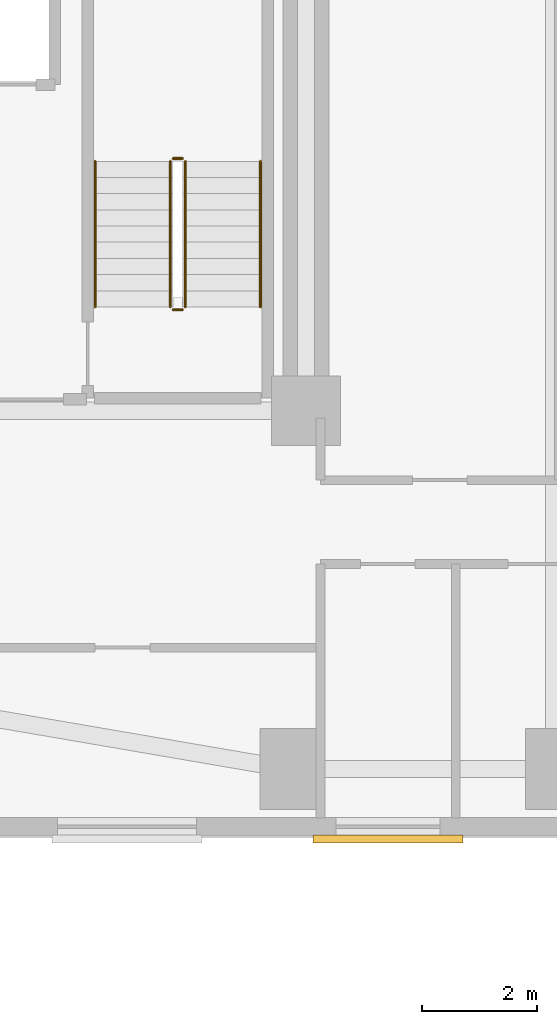
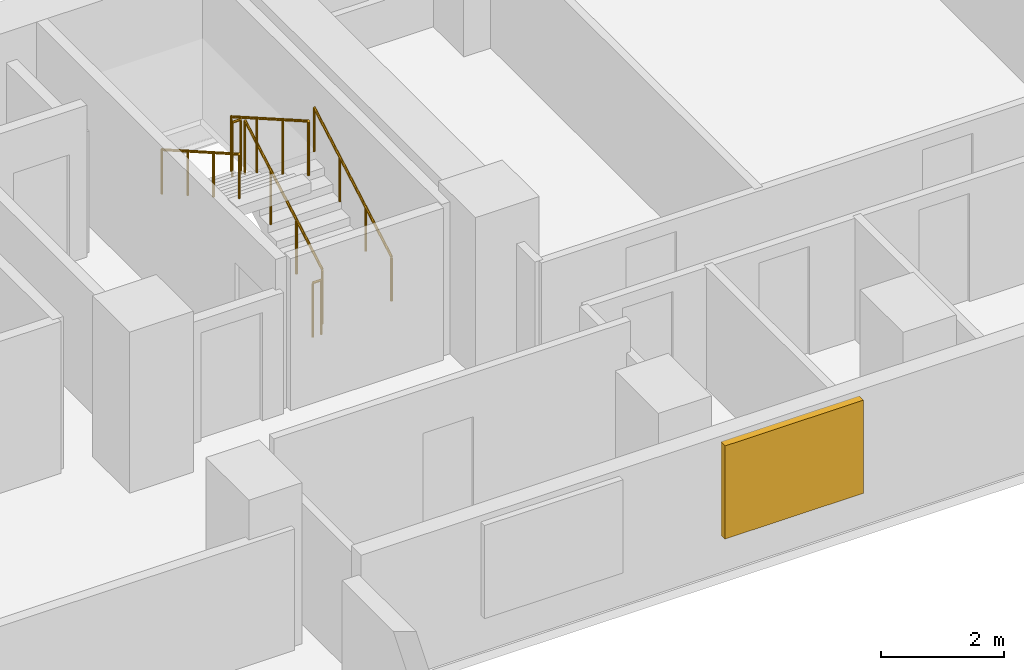
# One storey, part 16 of 18: 6 railings, 1 shading device.
"""IFC4 building model written with IfcOpenShell, lengths in metres."""

from ifc_helpers import new_model, si_unit, direction, frame, origin, origin_2d, place, context, subcontext, project, spatial, rectangle, circle, extrude, material, layer, layer_set, type_object, element, save


model = new_model("IFC4")

# Units and contexts
model_context = context("Model", 3, precision=1e-05, world=origin(), true_north=direction((0.0, 1.0)))
body_context = subcontext(model_context, "Body", "Model", "MODEL_VIEW")
ifc_project = project(units=[si_unit("LENGTHUNIT", "METRE"), si_unit("AREAUNIT", "SQUARE_METRE"), si_unit("VOLUMEUNIT", "CUBIC_METRE"), si_unit("PLANEANGLEUNIT", "RADIAN"), si_unit("MASSUNIT", "GRAM", prefix="KILO")], contexts=[model_context])

# Site, building, storey
site_placement = place(None, origin())
site = spatial("IfcSite", under=ifc_project, at=site_placement, CompositionType="ELEMENT")
building_placement = place(site_placement, origin())
building = spatial("IfcBuilding", under=site, at=building_placement, Name="Kuzgunbayir Cultural Tower", CompositionType="ELEMENT")
storey_placement = place(building_placement, frame((0.0, 0.0, 53.199951171875)))
storey = spatial("IfcBuildingStorey", under=building, at=storey_placement, Name="L14", CompositionType="ELEMENT", Elevation=53.199951171875)

# Railings
ifc_material_1 = material(Name="Brushed Stainless Steel", Category="steel")
ifc_layer_1 = layer(ifc_material_1, 0.050048828125)
ifc_layer_set_1 = layer_set([ifc_layer_1], Name="Brushed Stainless Steel")
railing_type_1 = type_object("IfcRailingType", Name="RLG-STAIR-HANDRAIL", PredefinedType="HANDRAIL", material=ifc_layer_set_1)
railing_1_placement = place(storey_placement, frame((26.110107421875, 35.60009765625, 0.16015625)))
element("IfcRailing", 1, at=railing_1_placement, inside=storey, type_object=railing_type_1, Name="L14 ST-2 stair handrail 1", PredefinedType="HANDRAIL", context=body_context, shape_type="SweptSolid", body=[
    extrude(circle(Radius=0.02392578125, at=origin_2d()), frame((0.0, 0.0, 0.8759765625), z_axis=(0.0, 0.868253494771, 0.496120820787), x_axis=(-1.0, 0.0, 0.0)), (0.0, 0.0, 1.0), 2.90234375),
    extrude(circle(Radius=0.02099609375, at=origin_2d()), origin(), (0.0, 0.0, 1.0), 0.851806640625),
    extrude(circle(Radius=0.02099609375, at=origin_2d()), frame((0.0, 0.840087890625, 0.47998046875)), (0.0, 0.0, 1.0), 0.851806640625),
    extrude(circle(Radius=0.02099609375, at=origin_2d()), frame((0.0, 1.679931640625, 0.9599609375)), (0.0, 0.0, 1.0), 0.851806640625),
    extrude(circle(Radius=0.02099609375, at=origin_2d()), frame((0.0, 2.52001953125, 1.43994140625)), (0.0, 0.0, 1.0), 0.851806640625),
])
railing_2_placement = place(storey_placement, frame((23.25, 38.1201171875, 1.760009765625)))
element("IfcRailing", 2, at=railing_2_placement, inside=storey, type_object=railing_type_1, Name="L14 ST-2 stair handrail 2", PredefinedType="HANDRAIL", context=body_context, shape_type="SweptSolid", body=[
    extrude(circle(Radius=0.02392578125, at=origin_2d()), frame((0.0, 0.0, 0.8759765625), z_axis=(0.0, -0.868253494771, 0.496120820787), x_axis=(1.0, 0.0, 0.0)), (0.0, 0.0, 1.0), 2.90234375),
    extrude(circle(Radius=0.02099609375, at=origin_2d()), origin(), (0.0, 0.0, 1.0), 0.851806640625),
    extrude(circle(Radius=0.02099609375, at=origin_2d()), frame((0.0, -0.840087890625, 0.47998046875)), (0.0, 0.0, 1.0), 0.851806640625),
    extrude(circle(Radius=0.02099609375, at=origin_2d()), frame((0.0, -1.679931640625, 0.9599609375)), (0.0, 0.0, 1.0), 0.851806640625),
    extrude(circle(Radius=0.02099609375, at=origin_2d()), frame((0.0, -2.52001953125, 1.43994140625)), (0.0, 0.0, 1.0), 0.851806640625),
])
ifc_material_2 = material(Name="Painted Steel Balustrade", Category="steel")
ifc_layer_2 = layer(ifc_material_2, 0.06005859375)
ifc_layer_set_2 = layer_set([ifc_layer_2], Name="Painted Steel Balustrade")
railing_type_2 = type_object("IfcRailingType", Name="RLG-WELL-GUARD", PredefinedType="GUARDRAIL", material=ifc_layer_set_2)
railing_3_placement = place(storey_placement, frame((24.81005859375, 35.60009765625, 0.16015625)))
element("IfcRailing", 3, at=railing_3_placement, inside=storey, type_object=railing_type_2, Name="L14 ST-2 stair guard 1", PredefinedType="GUARDRAIL", context=body_context, shape_type="SweptSolid", body=[
    extrude(circle(Radius=0.02392578125, at=origin_2d()), frame((0.0, 0.0, 1.076171875), z_axis=(0.0, 0.868253494771, 0.496120820787), x_axis=(-1.0, 0.0, 0.0)), (0.0, 0.0, 1.0), 2.90234375),
    extrude(circle(Radius=0.02099609375, at=origin_2d()), origin(), (0.0, 0.0, 1.0), 1.052001953125),
    extrude(circle(Radius=0.02099609375, at=origin_2d()), frame((0.0, 0.840087890625, 0.47998046875)), (0.0, 0.0, 1.0), 1.052001953125),
    extrude(circle(Radius=0.02099609375, at=origin_2d()), frame((0.0, 1.679931640625, 0.9599609375)), (0.0, 0.0, 1.0), 1.052001953125),
    extrude(circle(Radius=0.02099609375, at=origin_2d()), frame((0.0, 2.52001953125, 1.43994140625)), (0.0, 0.0, 1.0), 1.052001953125),
])
railing_4_placement = place(storey_placement, frame((24.760009765625, 38.169921875, 1.60009765625)))
element("IfcRailing", 4, at=railing_4_placement, inside=storey, type_object=railing_type_2, Name="L14 ST-2 stair guard 2", PredefinedType="GUARDRAIL", context=body_context, shape_type="SweptSolid", body=[
    extrude(circle(Radius=0.02392578125, at=origin_2d()), frame((0.0, 0.0, 1.076171875), z_axis=(-1.0, 0.0, 0.0), x_axis=(0.0, -1.0, 0.0)), (0.0, 0.0, 1.0), 0.159912109375),
    extrude(circle(Radius=0.02099609375, at=origin_2d()), origin(), (0.0, 0.0, 1.0), 1.052001953125),
    extrude(circle(Radius=0.02099609375, at=origin_2d()), frame((-0.159912109375, 0.0, 0.0)), (0.0, 0.0, 1.0), 1.052001953125),
])
railing_5_placement = place(storey_placement, frame((24.550048828125, 38.1201171875, 1.760009765625)))
element("IfcRailing", 5, at=railing_5_placement, inside=storey, type_object=railing_type_2, Name="L14 ST-2 stair guard 3", PredefinedType="GUARDRAIL", context=body_context, shape_type="SweptSolid", body=[
    extrude(circle(Radius=0.02392578125, at=origin_2d()), frame((0.0, 0.0, 1.076171875), z_axis=(0.0, -0.868253494771, 0.496120820787), x_axis=(1.0, 0.0, 0.0)), (0.0, 0.0, 1.0), 2.90234375),
    extrude(circle(Radius=0.02099609375, at=origin_2d()), origin(), (0.0, 0.0, 1.0), 1.052001953125),
    extrude(circle(Radius=0.02099609375, at=origin_2d()), frame((0.0, -0.840087890625, 0.47998046875)), (0.0, 0.0, 1.0), 1.052001953125),
    extrude(circle(Radius=0.02099609375, at=origin_2d()), frame((0.0, -1.679931640625, 0.9599609375)), (0.0, 0.0, 1.0), 1.052001953125),
    extrude(circle(Radius=0.02099609375, at=origin_2d()), frame((0.0, -2.52001953125, 1.43994140625)), (0.0, 0.0, 1.0), 1.052001953125),
])
railing_6_placement = place(storey_placement, frame((24.760009765625, 35.550048828125, 0.0)))
element("IfcRailing", 6, at=railing_6_placement, inside=storey, type_object=railing_type_2, Name="L14 ST-2 stair guard 4", PredefinedType="GUARDRAIL", context=body_context, shape_type="SweptSolid", body=[
    extrude(circle(Radius=0.02392578125, at=origin_2d()), frame((0.0, 0.0, 1.076171875), z_axis=(-1.0, 0.0, 0.0), x_axis=(0.0, -1.0, 0.0)), (0.0, 0.0, 1.0), 0.159912109375),
    extrude(circle(Radius=0.02099609375, at=origin_2d()), origin(), (0.0, 0.0, 1.0), 1.052001953125),
    extrude(circle(Radius=0.02099609375, at=origin_2d()), frame((-0.159912109375, 0.0, 0.0)), (0.0, 0.0, 1.0), 1.052001953125),
])

# Shading device
ifc_material_3 = material(Name="Perforated Bronze-Anodised Aluminium", Category="aluminium")
shading_device_type = type_object("IfcShadingDeviceType", Name="SHD-SOLAR-BRONZE", PredefinedType="JALOUSIE", material=ifc_material_3)
shading_device_placement = place(storey_placement, frame((28.320068359375, 26.389892578125, 0.735107421875), z_axis=(0.0, 0.0, 1.0), x_axis=(1.0, 0.0, 0.0)))
element("IfcShadingDevice", 7, at=shading_device_placement, inside=storey, type_object=shading_device_type, Name="L14 Solar Screen WBS5", PredefinedType="JALOUSIE", context=body_context, shape_type="SweptSolid", body=[
    extrude(rectangle(XDim=2.60009765625, YDim=0.139892578125, at=origin_2d()), origin(), (0.0, 0.0, 1.0), 1.85009765625),
])

save(model, "model.ifc")
